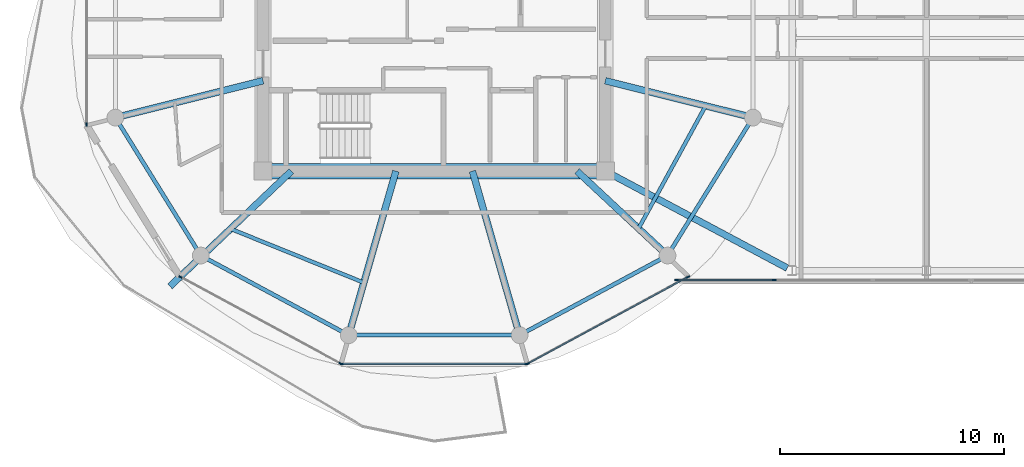
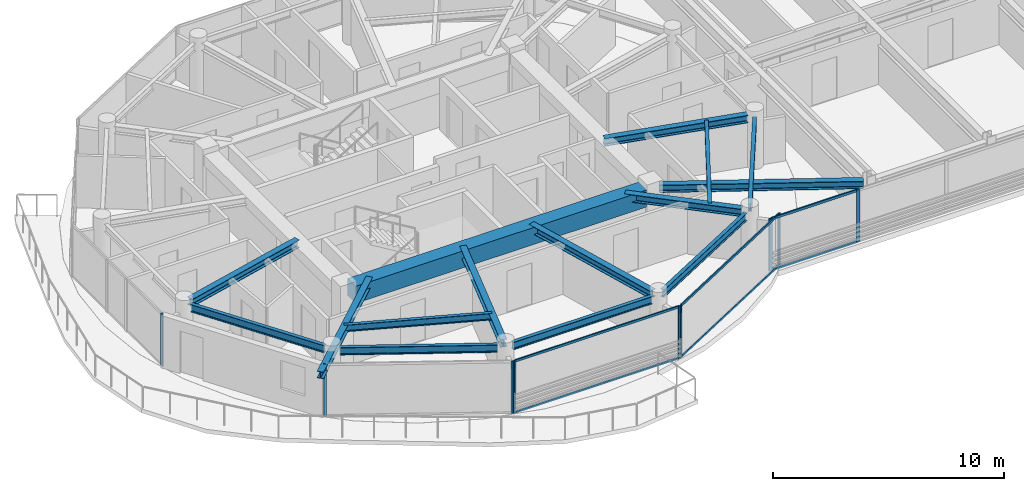
# One storey, part 3 of 23: 15 beams, 15 members, 5 elements without a shape of their own.
"""IFC4 building model written with IfcOpenShell, lengths in metres."""

from ifc_helpers import new_model, si_unit, direction, frame, origin, origin_2d, place, context, subcontext, project, spatial, rectangle, i_section, extrude, source, transform, mapped, material, layer, layer_set, material_profile, profile_set, type_object, type_shapes, element, aggregate, save


model = new_model("IFC4")

# Units and contexts
model_context = context("Model", 3, precision=1e-05, world=origin(), true_north=direction((0.0, 1.0)))
body_context = subcontext(model_context, "Body", "Model", "MODEL_VIEW")
ifc_project = project(units=[si_unit("LENGTHUNIT", "METRE"), si_unit("AREAUNIT", "SQUARE_METRE"), si_unit("VOLUMEUNIT", "CUBIC_METRE"), si_unit("PLANEANGLEUNIT", "RADIAN"), si_unit("MASSUNIT", "GRAM", prefix="KILO")], contexts=[model_context])

# Site, building, storey
site_placement = place(None, origin())
site = spatial("IfcSite", under=ifc_project, at=site_placement, CompositionType="ELEMENT")
building_placement = place(site_placement, origin())
building = spatial("IfcBuilding", under=site, at=building_placement, Name="Norrkilde Senior Care Towers", CompositionType="ELEMENT")
storey_placement = place(building_placement, frame((0.0, 0.0, 220.0)))
storey = spatial("IfcBuildingStorey", under=building, at=storey_placement, Name="L68", CompositionType="ELEMENT", Elevation=220.0)

# Beams
ifc_material_1 = material(Name="Concrete C60/75", Category="concrete")
ifc_material_profile_1 = material_profile(ifc_material_1, rectangle(XDim=0.699951171875, YDim=0.89990234375, at=origin_2d()), Name="RC BM 700x900")
ifc_profile_set_1 = profile_set([ifc_material_profile_1], Name="Concrete C60/75")
beam_type_1 = type_object("IfcBeamType", Name="Core Coupling Girder 700x900", PredefinedType="USERDEFINED", material=ifc_profile_set_1)
shared_shape_1 = source(origin(), body_context, "Body", "SweptSolid", [
    extrude(rectangle(XDim=0.699951171875, YDim=0.89990234375, at=origin_2d()), origin(), (0.0, 0.0, 1.0), 14.5400390625),
])
type_shapes(beam_type_1, [shared_shape_1])
beam_1_placement = place(storey_placement, frame((-35.27001953125, -5.949951171875, 2.31005859375), z_axis=(1.0, 0.0, 0.0), x_axis=(0.0, 1.0, 0.0)))
element("IfcBeam", 1, at=beam_1_placement, inside=storey, type_object=beam_type_1, Name="L68 Core W S Coupling Girder", ObjectType="GIRDER", PredefinedType="USERDEFINED", context=body_context, shape_type="MappedRepresentation", body=[
    mapped(shared_shape_1, transform((0.0, 0.0, 0.0), x_axis=(1.0, 0.0, 0.0), y_axis=(0.0, 1.0, 0.0), z_axis=(0.0, 0.0, 1.0), scale=1.0)),
])
ifc_material_2 = material(Name="Steel S355", Category="steel")
ifc_material_profile_2 = material_profile(ifc_material_2, i_section(OverallWidth=0.179931640625, OverallDepth=0.39990234375, WebThickness=0.008544921875, FlangeThickness=0.013427734375, FilletRadius=0.02099609375, at=origin_2d()), Name="IPE 400")
ifc_profile_set_2 = profile_set([ifc_material_profile_2], Name="Steel S355")
beam_type_2 = type_object("IfcBeamType", Name="Perimeter Ring Spandrel Z4 IPE400", PredefinedType="SPANDREL", material=ifc_profile_set_2)
shared_shape_2 = source(origin(), body_context, "Body", "SweptSolid", [
    extrude(i_section(OverallWidth=0.179931640625, OverallDepth=0.39990234375, WebThickness=0.008544921875, FlangeThickness=0.013427734375, FilletRadius=0.02099609375, at=origin_2d()), origin(), (0.0, 0.0, 1.0), 6.58056640625),
])
for number, where, z_axis, x_axis, name in (
    (2, (-42.071044921875, -3.843505859375, 2.56005859375), (0.526529583789, -0.850156807533, 0.0), (0.850156807533, 0.526529583789, 0.0), "L68 Drum W Perimeter Spandrel 07"),
    (3, (-17.393798828125, -9.43798828125, 2.56005859375), (0.526529583789, 0.850156807533, 0.0), (-0.850156807533, 0.526529583789, 0.0), "L68 Drum W Perimeter Spandrel 11"),
):
    element("IfcBeam", number, at=place(storey_placement, frame(where, z_axis=z_axis, x_axis=x_axis)), inside=storey, type_object=beam_type_2, Name=name, PredefinedType="SPANDREL", context=body_context, shape_type="MappedRepresentation", body=[
        mapped(shared_shape_2, transform((0.0, 0.0, 0.0), x_axis=(1.0, 0.0, 0.0), y_axis=(0.0, 1.0, 0.0), z_axis=(0.0, 0.0, 1.0), scale=1.0)),
    ])
ifc_material_profile_3 = material_profile(ifc_material_2, i_section(OverallWidth=0.300048828125, OverallDepth=0.39990234375, WebThickness=0.013427734375, FlangeThickness=0.02392578125, FilletRadius=0.027099609375, at=origin_2d()), Name="HEB 400")
ifc_profile_set_3 = profile_set([ifc_material_profile_3], Name="Steel S355")
beam_type_3 = type_object("IfcBeamType", Name="Radial Floor Beam Z4 HEB400", PredefinedType="BEAM", material=ifc_profile_set_3)
shared_shape_3 = source(origin(), body_context, "Body", "SweptSolid", [
    extrude(i_section(OverallWidth=0.300048828125, OverallDepth=0.39990234375, WebThickness=0.013427734375, FlangeThickness=0.02392578125, FilletRadius=0.027099609375, at=origin_2d()), origin(), (0.0, 0.0, 1.0), 6.465087890625),
])
for number, where, z_axis, x_axis, name in (
    (4, (-35.64990234375, -1.910888671875, 2.56005859375), (-0.970195788563, -0.242322371758, 0.0), (0.242322371758, -0.970195788563, 0.0), "L68 Drum W Radial Floor Beam 07"),
    (5, (-20.35009765625, -1.910888671875, 2.56005859375), (0.970195788563, -0.242322371758, 0.0), (0.242322371758, 0.970195788563, 0.0), "L68 Drum W Radial Floor Beam 12"),
):
    element("IfcBeam", number, at=place(storey_placement, frame(where, z_axis=z_axis, x_axis=x_axis)), inside=storey, type_object=beam_type_3, Name=name, PredefinedType="BEAM", context=body_context, shape_type="MappedRepresentation", body=[
        mapped(shared_shape_3, transform((0.0, 0.0, 0.0), x_axis=(1.0, 0.0, 0.0), y_axis=(0.0, 1.0, 0.0), z_axis=(0.0, 0.0, 1.0), scale=1.0)),
    ])
shared_shape_4 = source(origin(), body_context, "Body", "SweptSolid", [
    extrude(i_section(OverallWidth=0.179931640625, OverallDepth=0.39990234375, WebThickness=0.008544921875, FlangeThickness=0.013427734375, FilletRadius=0.02099609375, at=origin_2d()), origin(), (0.0, 0.0, 1.0), 6.839111328125),
])
for number, where, z_axis, x_axis, name in (
    (6, (-38.134765625, -9.881591796875, 2.56005859375), (0.880563930732, -0.473927382511, 0.0), (0.473927382511, 0.880563930732, 0.0), "L68 Drum W Perimeter Spandrel 08"),
    (7, (-23.887451171875, -13.122802734375, 2.56005859375), (0.880563930732, 0.473927382511, 0.0), (-0.473927382511, 0.880563930732, 0.0), "L68 Drum W Perimeter Spandrel 10"),
):
    element("IfcBeam", number, at=place(storey_placement, frame(where, z_axis=z_axis, x_axis=x_axis)), inside=storey, type_object=beam_type_2, Name=name, PredefinedType="SPANDREL", context=body_context, shape_type="MappedRepresentation", body=[
        mapped(shared_shape_4, transform((0.0, 0.0, 0.0), x_axis=(1.0, 0.0, 0.0), y_axis=(0.0, 1.0, 0.0), z_axis=(0.0, 0.0, 1.0), scale=1.0)),
    ])
shared_shape_5 = source(origin(), body_context, "Body", "SweptSolid", [
    extrude(i_section(OverallWidth=0.300048828125, OverallDepth=0.39990234375, WebThickness=0.013427734375, FlangeThickness=0.02392578125, FilletRadius=0.027099609375, at=origin_2d()), origin(), (0.0, 0.0, 1.0), 5.197998046875),
])
beam_2_placement = place(storey_placement, frame((-21.6171875, -5.949951171875, 2.56005859375), z_axis=(0.731448749334, -0.681896419625, 0.0), x_axis=(0.681896419625, 0.731448749334, 0.0)))
element("IfcBeam", 8, at=beam_2_placement, inside=storey, type_object=beam_type_3, Name="L68 Drum W Radial Floor Beam 11", PredefinedType="BEAM", context=body_context, shape_type="MappedRepresentation", body=[
    mapped(shared_shape_5, transform((0.0, 0.0, 0.0), x_axis=(1.0, 0.0, 0.0), y_axis=(0.0, 1.0, 0.0), z_axis=(0.0, 0.0, 1.0), scale=1.0)),
])
shared_shape_6 = source(origin(), body_context, "Body", "SweptSolid", [
    extrude(i_section(OverallWidth=0.179931640625, OverallDepth=0.39990234375, WebThickness=0.008544921875, FlangeThickness=0.013427734375, FilletRadius=0.02099609375, at=origin_2d()), origin(), (0.0, 0.0, 1.0), 6.96533203125),
])
type_shapes(beam_type_2, [shared_shape_2, shared_shape_4, shared_shape_6])
beam_3_placement = place(storey_placement, frame((-31.482666015625, -13.281494140625, 2.56005859375), z_axis=(1.0, 0.0, 0.0), x_axis=(0.0, 1.0, 0.0)))
element("IfcBeam", 9, at=beam_3_placement, inside=storey, type_object=beam_type_2, Name="L68 Drum W Perimeter Spandrel 09", PredefinedType="SPANDREL", context=body_context, shape_type="MappedRepresentation", body=[
    mapped(shared_shape_6, transform((0.0, 0.0, 0.0), x_axis=(1.0, 0.0, 0.0), y_axis=(0.0, 1.0, 0.0), z_axis=(0.0, 0.0, 1.0), scale=1.0)),
])
shared_shape_7 = source(origin(), body_context, "Body", "SweptSolid", [
    extrude(i_section(OverallWidth=0.300048828125, OverallDepth=0.39990234375, WebThickness=0.013427734375, FlangeThickness=0.02392578125, FilletRadius=0.027099609375, at=origin_2d()), origin(), (0.0, 0.0, 1.0), 7.29345703125),
])
for number, where, z_axis, x_axis, name in (
    (10, (-29.710205078125, -5.949951171875, 2.56005859375), (-0.276263751906, -0.961081858836, 0.0), (0.961081858836, -0.276263751906, 0.0), "L68 Drum W Radial Floor Beam 09"),
    (11, (-26.289794921875, -5.949951171875, 2.56005859375), (0.276263751906, -0.961081858836, 0.0), (0.961081858836, 0.276263751906, 0.0), "L68 Drum W Radial Floor Beam 10"),
):
    element("IfcBeam", number, at=place(storey_placement, frame(where, z_axis=z_axis, x_axis=x_axis)), inside=storey, type_object=beam_type_3, Name=name, PredefinedType="BEAM", context=body_context, shape_type="MappedRepresentation", body=[
        mapped(shared_shape_7, transform((0.0, 0.0, 0.0), x_axis=(1.0, 0.0, 0.0), y_axis=(0.0, 1.0, 0.0), z_axis=(0.0, 0.0, 1.0), scale=1.0)),
    ])
ifc_material_profile_4 = material_profile(ifc_material_2, i_section(OverallWidth=0.169921875, OverallDepth=0.360107421875, WebThickness=0.008056640625, FlangeThickness=0.0126953125, FilletRadius=0.01806640625, at=origin_2d()), Name="IPE 360")
ifc_profile_set_4 = profile_set([ifc_material_profile_4], Name="Steel S355")
beam_type_4 = type_object("IfcBeamType", Name="Secondary Floor Joist IPE360", PredefinedType="JOIST", material=ifc_profile_set_4)
shared_shape_8 = source(origin(), body_context, "Body", "SweptSolid", [
    extrude(i_section(OverallWidth=0.169921875, OverallDepth=0.360107421875, WebThickness=0.008056640625, FlangeThickness=0.0126953125, FilletRadius=0.01806640625, at=origin_2d()), origin(), (0.0, 0.0, 1.0), 6.461669921875),
])
beam_4_placement = place(storey_placement, frame((-37.134765625, -8.515380859375, 2.580078125), z_axis=(0.927225942298, -0.374502405772, 0.0), x_axis=(0.374502405772, 0.927225942298, 0.0)))
element("IfcBeam", 12, at=beam_4_placement, inside=storey, type_object=beam_type_4, Name="L68 Drum W Secondary Floor Joist 3", PredefinedType="JOIST", context=body_context, shape_type="MappedRepresentation", body=[
    mapped(shared_shape_8, transform((0.0, 0.0, 0.0), x_axis=(1.0, 0.0, 0.0), y_axis=(0.0, 1.0, 0.0), z_axis=(0.0, 0.0, 1.0), scale=1.0)),
])
shared_shape_9 = source(origin(), body_context, "Body", "SweptSolid", [
    extrude(i_section(OverallWidth=0.169921875, OverallDepth=0.360107421875, WebThickness=0.008056640625, FlangeThickness=0.0126953125, FilletRadius=0.01806640625, at=origin_2d()), origin(), (0.0, 0.0, 1.0), 6.25146484375),
])
type_shapes(beam_type_4, [shared_shape_8, shared_shape_9])
beam_5_placement = place(storey_placement, frame((-18.865234375, -8.515380859375, 2.580078125), z_axis=(0.480115752653, 0.877205143655, 0.0), x_axis=(-0.877205143655, 0.480115752653, 0.0)))
element("IfcBeam", 13, at=beam_5_placement, inside=storey, type_object=beam_type_4, Name="L68 Drum W Secondary Floor Joist 4", PredefinedType="JOIST", context=body_context, shape_type="MappedRepresentation", body=[
    mapped(shared_shape_9, transform((0.0, 0.0, 0.0), x_axis=(1.0, 0.0, 0.0), y_axis=(0.0, 1.0, 0.0), z_axis=(0.0, 0.0, 1.0), scale=1.0)),
])
ifc_material_profile_5 = material_profile(ifc_material_2, i_section(OverallWidth=0.300048828125, OverallDepth=0.360107421875, WebThickness=0.012451171875, FlangeThickness=0.0224609375, FilletRadius=0.027099609375, at=origin_2d()), Name="HEB 360")
ifc_profile_set_5 = profile_set([ifc_material_profile_5], Name="Steel S355")
beam_type_5 = type_object("IfcBeamType", Name="Balcony Crest Cantilever Rib HEB360", PredefinedType="BEAM", material=ifc_profile_set_5)
shared_shape_10 = source(origin(), body_context, "Body", "SweptSolid", [
    extrude(i_section(OverallWidth=0.300048828125, OverallDepth=0.360107421875, WebThickness=0.012451171875, FlangeThickness=0.0224609375, FilletRadius=0.027099609375, at=origin_2d()), origin(), (0.0, 0.0, 1.0), 7.48193359375),
])
type_shapes(beam_type_5, [shared_shape_10])
beam_6_placement = place(storey_placement, frame((-34.3828125, -5.949951171875, 2.580078125), z_axis=(-0.725191675346, -0.688547045603, 0.0), x_axis=(0.688547045603, -0.725191675346, 0.0)))
element("IfcBeam", 14, at=beam_6_placement, inside=storey, type_object=beam_type_5, Name="L68 Drum W Balcony Cantilever Rib", PredefinedType="BEAM", context=body_context, shape_type="MappedRepresentation", body=[
    mapped(shared_shape_10, transform((0.0, 0.0, 0.0), x_axis=(1.0, 0.0, 0.0), y_axis=(0.0, 1.0, 0.0), z_axis=(0.0, 0.0, 1.0), scale=1.0)),
])
shared_shape_11 = source(origin(), body_context, "Body", "SweptSolid", [
    extrude(i_section(OverallWidth=0.300048828125, OverallDepth=0.39990234375, WebThickness=0.013427734375, FlangeThickness=0.02392578125, FilletRadius=0.027099609375, at=origin_2d()), origin(), (0.0, 0.0, 1.0), 8.831787109375),
])
type_shapes(beam_type_3, [shared_shape_3, shared_shape_5, shared_shape_7, shared_shape_11])
beam_7_placement = place(storey_placement, frame((-20.0146484375, -6.128662109375, 2.56005859375), z_axis=(0.882492172381, -0.470327083727, 0.0), x_axis=(0.470327083727, 0.882492172381, 0.0)))
element("IfcBeam", 15, at=beam_7_placement, inside=storey, type_object=beam_type_3, Name="L68 Sky-Gate Bridge Girder S1", PredefinedType="BEAM", context=body_context, shape_type="MappedRepresentation", body=[
    mapped(shared_shape_11, transform((0.0, 0.0, 0.0), x_axis=(1.0, 0.0, 0.0), y_axis=(0.0, 1.0, 0.0), z_axis=(0.0, 0.0, 1.0), scale=1.0)),
])

# Curtain wall, members
ifc_material_3 = material(Name="Triple Low-E Insulated Glazing", Category="glass")
ifc_layer_1 = layer(ifc_material_3, 0.18505859375)
ifc_layer_set_1 = layer_set([ifc_layer_1], Name="Triple Low-E Insulated Glazing")
curtain_wall_type_1 = type_object("IfcCurtainWallType", Name="CW6 Zone 4 Crown Pavilion Curtain Wall", PredefinedType="NOTDEFINED", material=ifc_layer_set_1)
curtain_wall_1_placement = place(storey_placement, origin())
curtain_wall_1 = element("IfcCurtainWall", 16, at=curtain_wall_1_placement, inside=storey, type_object=curtain_wall_type_1, Name="L68 Drum W Curtain Wall 08", PredefinedType="NOTDEFINED")
ifc_material_4 = material(Name="Anodised Aluminium", Category="aluminium")
ifc_material_profile_6 = material_profile(ifc_material_4, rectangle(XDim=0.06005859375, YDim=0.1201171875, at=origin_2d()), Name="ALU TRAN 60x120")
ifc_profile_set_6 = profile_set([ifc_material_profile_6], Name="Anodised Aluminium")
member_type_1 = type_object("IfcMemberType", Name="Curtain Wall Transom Typical 60x120", PredefinedType="USERDEFINED", material=ifc_profile_set_6)
shared_shape_12 = source(origin(), body_context, "Body", "SweptSolid", [
    extrude(rectangle(XDim=0.06005859375, YDim=0.1201171875, at=origin_2d()), origin(), (0.0, 0.0, 1.0), 8.19384765625),
])
member_1_placement = place(storey_placement, frame((-23.903076171875, -14.566162109375, 0.030029296875), z_axis=(-1.0, 0.0, 0.0), x_axis=(0.0, -1.0, 0.0)))
member_1 = element("IfcMember", 17, at=member_1_placement, type_object=member_type_1, Name="CW-6 transom 1.1", ObjectType="TRANSOM", PredefinedType="USERDEFINED", context=body_context, shape_type="MappedRepresentation", body=[
    mapped(shared_shape_12, transform((0.0, 0.0, 0.0), x_axis=(1.0, 0.0, 0.0), y_axis=(0.0, 1.0, 0.0), z_axis=(0.0, 0.0, 1.0), scale=1.0)),
])
member_2_placement = place(storey_placement, frame((-23.903076171875, -14.566162109375, 2.72998046875), z_axis=(-1.0, 0.0, 0.0), x_axis=(0.0, -1.0, 0.0)))
member_2 = element("IfcMember", 18, at=member_2_placement, type_object=member_type_1, Name="CW-6 transom 1.2", ObjectType="TRANSOM", PredefinedType="USERDEFINED", context=body_context, shape_type="MappedRepresentation", body=[
    mapped(shared_shape_12, transform((0.0, 0.0, 0.0), x_axis=(1.0, 0.0, 0.0), y_axis=(0.0, 1.0, 0.0), z_axis=(0.0, 0.0, 1.0), scale=1.0)),
])

curtain_wall_2_placement = place(storey_placement, origin())
curtain_wall_2 = element("IfcCurtainWall", 19, at=curtain_wall_2_placement, inside=storey, type_object=curtain_wall_type_1, Name="L68 Drum W Curtain Wall 09", PredefinedType="NOTDEFINED")
shared_shape_13 = source(origin(), body_context, "Body", "SweptSolid", [
    extrude(rectangle(XDim=0.06005859375, YDim=0.1201171875, at=origin_2d()), origin(), (0.0, 0.0, 1.0), 8.0673828125),
])
type_shapes(member_type_1, [shared_shape_12, shared_shape_13])
member_3_placement = place(storey_placement, frame((-16.686767578125, -10.694091796875, 0.030029296875), z_axis=(-0.87937750072, -0.476125205411, 0.0), x_axis=(0.476125205411, -0.87937750072, 0.0)))
member_3 = element("IfcMember", 20, at=member_3_placement, type_object=member_type_1, Name="CW-6 transom 1.1", ObjectType="TRANSOM", PredefinedType="USERDEFINED", context=body_context, shape_type="MappedRepresentation", body=[
    mapped(shared_shape_13, transform((0.0, 0.0, 0.0), x_axis=(1.0, 0.0, 0.0), y_axis=(0.0, 1.0, 0.0), z_axis=(0.0, 0.0, 1.0), scale=1.0)),
])
member_4_placement = place(storey_placement, frame((-16.686767578125, -10.694091796875, 2.72998046875), z_axis=(-0.87937750072, -0.476125205411, 0.0), x_axis=(0.476125205411, -0.87937750072, 0.0)))
member_4 = element("IfcMember", 21, at=member_4_placement, type_object=member_type_1, Name="CW-6 transom 1.2", ObjectType="TRANSOM", PredefinedType="USERDEFINED", context=body_context, shape_type="MappedRepresentation", body=[
    mapped(shared_shape_13, transform((0.0, 0.0, 0.0), x_axis=(1.0, 0.0, 0.0), y_axis=(0.0, 1.0, 0.0), z_axis=(0.0, 0.0, 1.0), scale=1.0)),
])

# Curtain wall, member
curtain_wall_3_placement = place(storey_placement, origin())
curtain_wall_3 = element("IfcCurtainWall", 22, at=curtain_wall_3_placement, inside=storey, type_object=curtain_wall_type_1, Name="L68 Drum W Curtain Wall 05", PredefinedType="NOTDEFINED")
ifc_material_profile_7 = material_profile(ifc_material_4, rectangle(XDim=0.06494140625, YDim=0.14990234375, at=origin_2d()), Name="ALU MULL 65x150")
ifc_profile_set_7 = profile_set([ifc_material_profile_7], Name="Anodised Aluminium")
member_type_2 = type_object("IfcMemberType", Name="Curtain Wall Mullion Z3-Z4 65x150", PredefinedType="MULLION", material=ifc_profile_set_7)
shared_shape_14 = source(origin(), body_context, "Body", "SweptSolid", [
    extrude(rectangle(XDim=0.06494140625, YDim=0.14990234375, at=origin_2d()), origin(), (0.0, 0.0, 1.0), 2.760009765625),
])
type_shapes(member_type_2, [shared_shape_14])
member_5_placement = place(storey_placement, frame((-43.531982421875, -3.87060546875, 0.0), z_axis=(0.0, 0.0, 1.0), x_axis=(-1.0, 0.0, 0.0)))
member_5 = element("IfcMember", 23, at=member_5_placement, type_object=member_type_2, Name="CW-6 mullion 1", PredefinedType="MULLION", context=body_context, shape_type="MappedRepresentation", body=[
    mapped(shared_shape_14, transform((0.0, 0.0, 0.0), x_axis=(1.0, 0.0, 0.0), y_axis=(0.0, 1.0, 0.0), z_axis=(0.0, 0.0, 1.0), scale=1.0)),
])
aggregate(curtain_wall_3, [member_5])

# Curtain wall, members
curtain_wall_4_placement = place(storey_placement, origin())
curtain_wall_4 = element("IfcCurtainWall", 24, at=curtain_wall_4_placement, inside=storey, type_object=curtain_wall_type_1, Name="L68 Drum W Curtain Wall 07", PredefinedType="NOTDEFINED")
member_6_placement = place(storey_placement, frame((-32.1904296875, -14.55078125, 0.0), z_axis=(0.0, 0.0, 1.0), x_axis=(-0.476132676136, -0.879373455772, 0.0)))
member_6 = element("IfcMember", 25, at=member_6_placement, type_object=member_type_2, Name="CW-6 mullion 1", PredefinedType="MULLION", context=body_context, shape_type="MappedRepresentation", body=[
    mapped(shared_shape_14, transform((0.0, 0.0, 0.0), x_axis=(1.0, 0.0, 0.0), y_axis=(0.0, 1.0, 0.0), z_axis=(0.0, 0.0, 1.0), scale=1.0)),
])
member_7_placement = place(storey_placement, frame((-39.341796875, -10.6787109375, 0.0), z_axis=(0.0, 0.0, 1.0), x_axis=(-0.476132676136, -0.879373455772, 0.0)))
member_7 = element("IfcMember", 26, at=member_7_placement, type_object=member_type_2, Name="CW-6 mullion 2", PredefinedType="MULLION", context=body_context, shape_type="MappedRepresentation", body=[
    mapped(shared_shape_14, transform((0.0, 0.0, 0.0), x_axis=(1.0, 0.0, 0.0), y_axis=(0.0, 1.0, 0.0), z_axis=(0.0, 0.0, 1.0), scale=1.0)),
])
aggregate(curtain_wall_4, [member_6, member_7])

# Member
member_8_placement = place(storey_placement, frame((-23.87060546875, -14.566162109375, 0.0), z_axis=(0.0, 0.0, 1.0), x_axis=(0.0, -1.0, 0.0)))
member_8 = element("IfcMember", 27, at=member_8_placement, type_object=member_type_2, Name="CW-6 mullion 1", PredefinedType="MULLION", context=body_context, shape_type="MappedRepresentation", body=[
    mapped(shared_shape_14, transform((0.0, 0.0, 0.0), x_axis=(1.0, 0.0, 0.0), y_axis=(0.0, 1.0, 0.0), z_axis=(0.0, 0.0, 1.0), scale=1.0)),
])

member_9_placement = place(storey_placement, frame((-32.12939453125, -14.566162109375, 0.0), z_axis=(0.0, 0.0, 1.0), x_axis=(0.0, -1.0, 0.0)))
member_9 = element("IfcMember", 28, at=member_9_placement, type_object=member_type_2, Name="CW-6 mullion 2", PredefinedType="MULLION", context=body_context, shape_type="MappedRepresentation", body=[
    mapped(shared_shape_14, transform((0.0, 0.0, 0.0), x_axis=(1.0, 0.0, 0.0), y_axis=(0.0, 1.0, 0.0), z_axis=(0.0, 0.0, 1.0), scale=1.0)),
])

aggregate(curtain_wall_1, [member_8, member_9, member_1, member_2])

member_10_placement = place(storey_placement, frame((-16.658203125, -10.6787109375, 0.0), z_axis=(0.0, 0.0, 1.0), x_axis=(0.476132676136, -0.879373455772, 0.0)))
member_10 = element("IfcMember", 29, at=member_10_placement, type_object=member_type_2, Name="CW-6 mullion 1", PredefinedType="MULLION", context=body_context, shape_type="MappedRepresentation", body=[
    mapped(shared_shape_14, transform((0.0, 0.0, 0.0), x_axis=(1.0, 0.0, 0.0), y_axis=(0.0, 1.0, 0.0), z_axis=(0.0, 0.0, 1.0), scale=1.0)),
])

member_11_placement = place(storey_placement, frame((-23.8095703125, -14.55078125, 0.0), z_axis=(0.0, 0.0, 1.0), x_axis=(0.476132676136, -0.879373455772, 0.0)))
member_11 = element("IfcMember", 30, at=member_11_placement, type_object=member_type_2, Name="CW-6 mullion 2", PredefinedType="MULLION", context=body_context, shape_type="MappedRepresentation", body=[
    mapped(shared_shape_14, transform((0.0, 0.0, 0.0), x_axis=(1.0, 0.0, 0.0), y_axis=(0.0, 1.0, 0.0), z_axis=(0.0, 0.0, 1.0), scale=1.0)),
])

aggregate(curtain_wall_2, [member_10, member_11, member_3, member_4])

# Curtain wall, members
ifc_layer_2 = layer(ifc_material_3, 0.2099609375)
ifc_layer_set_2 = layer_set([ifc_layer_2], Name="Triple Low-E Insulated Glazing")
curtain_wall_type_2 = type_object("IfcCurtainWallType", Name="CW5 Sky-Gate Bridge Curtain Wall", PredefinedType="NOTDEFINED", material=ifc_layer_set_2)
curtain_wall_5_placement = place(storey_placement, origin())
curtain_wall_5 = element("IfcCurtainWall", 31, at=curtain_wall_5_placement, inside=storey, type_object=curtain_wall_type_2, Name="L68 Sky-Gate Bridge South Curtain Wall 3", PredefinedType="NOTDEFINED")
ifc_material_profile_8 = material_profile(ifc_material_4, rectangle(XDim=0.06494140625, YDim=0.1298828125, at=origin_2d()), Name="ALU TRAN 65x130")
ifc_profile_set_8 = profile_set([ifc_material_profile_8], Name="Anodised Aluminium")
member_type_3 = type_object("IfcMemberType", Name="Curtain Wall Transom Heavy 65x130", PredefinedType="USERDEFINED", material=ifc_profile_set_8)
shared_shape_15 = source(origin(), body_context, "Body", "SweptSolid", [
    extrude(rectangle(XDim=0.06494140625, YDim=0.1298828125, at=origin_2d()), origin(), (0.0, 0.0, 1.0), 4.294921875),
])
type_shapes(member_type_3, [shared_shape_15])
member_12_placement = place(storey_placement, frame((-12.8349609375, -10.820068359375, 0.032470703125), z_axis=(-1.0, 0.0, 0.0), x_axis=(0.0, -1.0, 0.0)))
member_12 = element("IfcMember", 32, at=member_12_placement, type_object=member_type_3, Name="CW-5 transom 3.1", ObjectType="TRANSOM", PredefinedType="USERDEFINED", context=body_context, shape_type="MappedRepresentation", body=[
    mapped(shared_shape_15, transform((0.0, 0.0, 0.0), x_axis=(1.0, 0.0, 0.0), y_axis=(0.0, 1.0, 0.0), z_axis=(0.0, 0.0, 1.0), scale=1.0)),
])
member_13_placement = place(storey_placement, frame((-12.8349609375, -10.820068359375, 2.7275390625), z_axis=(-1.0, 0.0, 0.0), x_axis=(0.0, -1.0, 0.0)))
member_13 = element("IfcMember", 33, at=member_13_placement, type_object=member_type_3, Name="CW-5 transom 3.2", ObjectType="TRANSOM", PredefinedType="USERDEFINED", context=body_context, shape_type="MappedRepresentation", body=[
    mapped(shared_shape_15, transform((0.0, 0.0, 0.0), x_axis=(1.0, 0.0, 0.0), y_axis=(0.0, 1.0, 0.0), z_axis=(0.0, 0.0, 1.0), scale=1.0)),
])
ifc_material_profile_9 = material_profile(ifc_material_4, rectangle(XDim=0.070068359375, YDim=0.169921875, at=origin_2d()), Name="ALU MULL 70x170")
ifc_profile_set_9 = profile_set([ifc_material_profile_9], Name="Anodised Aluminium")
member_type_4 = type_object("IfcMemberType", Name="Curtain Wall Mullion Heavy 70x170", PredefinedType="MULLION", material=ifc_profile_set_9)
shared_shape_16 = source(origin(), body_context, "Body", "SweptSolid", [
    extrude(rectangle(XDim=0.070068359375, YDim=0.169921875, at=origin_2d()), origin(), (0.0, 0.0, 1.0), 2.760009765625),
])
type_shapes(member_type_4, [shared_shape_16])
member_14_placement = place(storey_placement, frame((-12.800048828125, -10.820068359375, 0.0), z_axis=(0.0, 0.0, 1.0), x_axis=(0.0, -1.0, 0.0)))
member_14 = element("IfcMember", 34, at=member_14_placement, type_object=member_type_4, Name="CW-5 mullion 3", PredefinedType="MULLION", context=body_context, shape_type="MappedRepresentation", body=[
    mapped(shared_shape_16, transform((0.0, 0.0, 0.0), x_axis=(1.0, 0.0, 0.0), y_axis=(0.0, 1.0, 0.0), z_axis=(0.0, 0.0, 1.0), scale=1.0)),
])
member_15_placement = place(storey_placement, frame((-17.1650390625, -10.820068359375, 0.0), z_axis=(0.0, 0.0, 1.0), x_axis=(0.0, -1.0, 0.0)))
member_15 = element("IfcMember", 35, at=member_15_placement, type_object=member_type_4, Name="CW-5 mullion 4", PredefinedType="MULLION", context=body_context, shape_type="MappedRepresentation", body=[
    mapped(shared_shape_16, transform((0.0, 0.0, 0.0), x_axis=(1.0, 0.0, 0.0), y_axis=(0.0, 1.0, 0.0), z_axis=(0.0, 0.0, 1.0), scale=1.0)),
])
aggregate(curtain_wall_5, [member_14, member_15, member_12, member_13])

save(model, "model.ifc")
